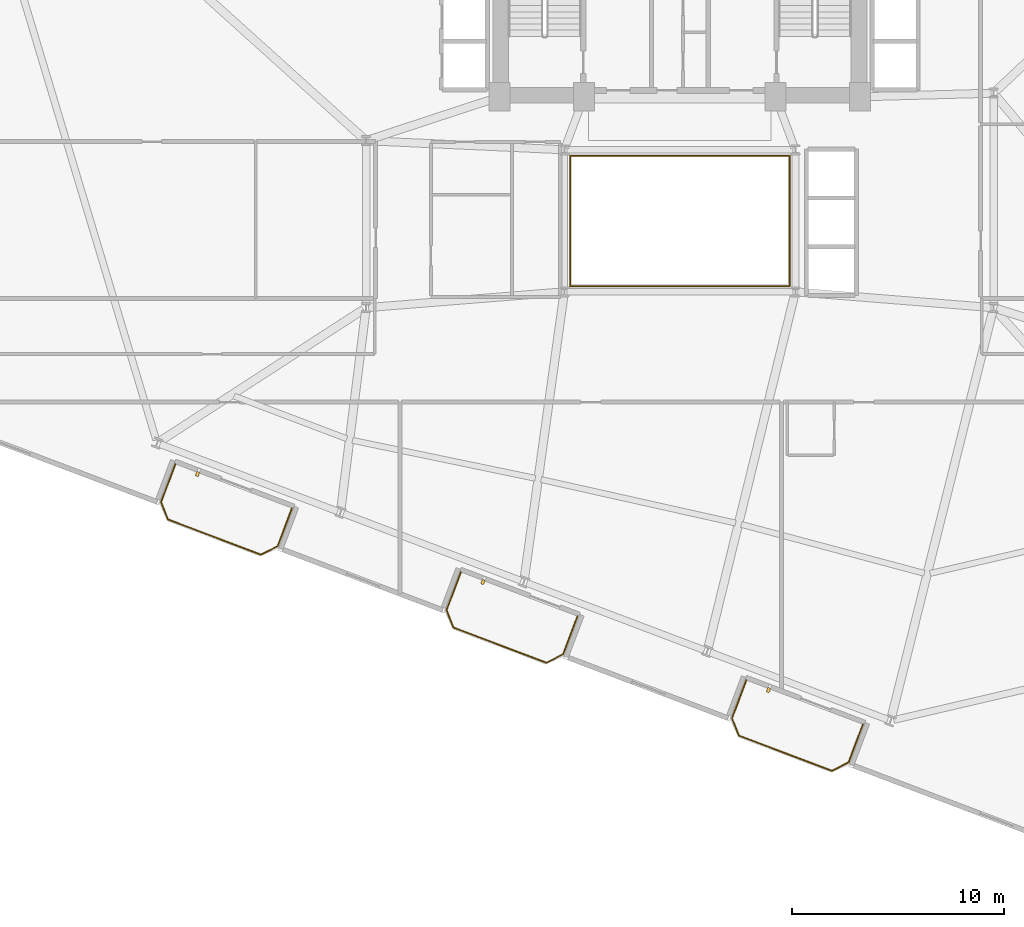
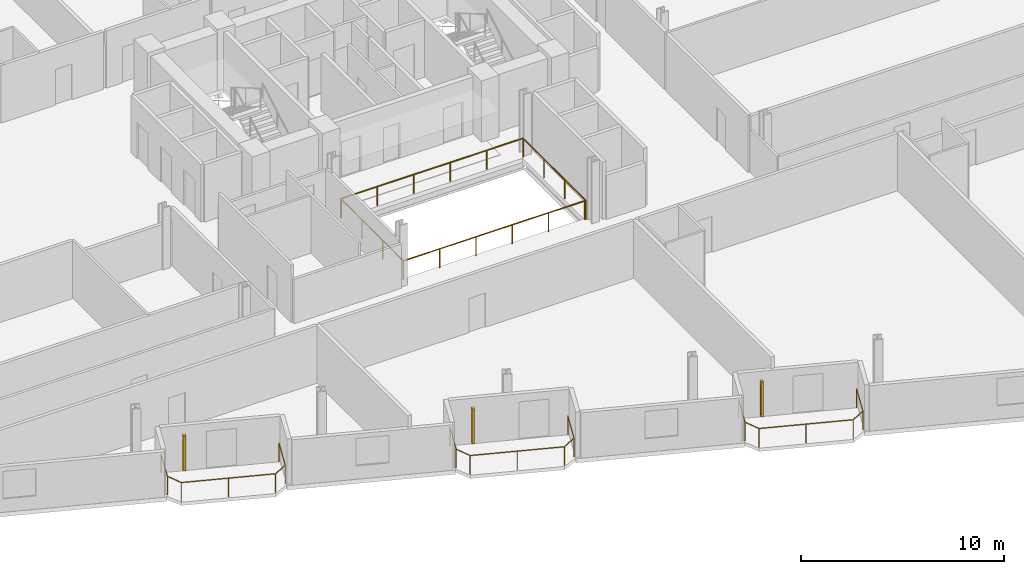
# One storey, part 22 of 24: 5 railings, 3 shading devices.
"""IFC4 building model written with IfcOpenShell, lengths in metres."""

from ifc_helpers import new_model, si_unit, direction, frame, origin, origin_2d, place, context, subcontext, project, spatial, rectangle, circle, extrude, source, transform, mapped, material, type_object, element, save


model = new_model("IFC4")

# Units and contexts
model_context = context("Model", 3, precision=1e-05, world=origin(), true_north=direction((0.0, 1.0)))
body_context = subcontext(model_context, "Body", "Model", "MODEL_VIEW")
ifc_project = project(units=[si_unit("LENGTHUNIT", "METRE"), si_unit("AREAUNIT", "SQUARE_METRE"), si_unit("VOLUMEUNIT", "CUBIC_METRE"), si_unit("PLANEANGLEUNIT", "RADIAN"), si_unit("MASSUNIT", "GRAM", prefix="KILO")], contexts=[model_context])

# Site, building, storey
site_placement = place(None, origin())
site = spatial("IfcSite", under=ifc_project, at=site_placement, CompositionType="ELEMENT")
building_placement = place(site_placement, origin())
building = spatial("IfcBuilding", under=site, at=building_placement, Name="Varnelok Gate Tower", CompositionType="ELEMENT")
storey_placement = place(building_placement, frame((0.0, 0.0, 87.300048828125)))
storey = spatial("IfcBuildingStorey", under=building, at=storey_placement, Name="L21", CompositionType="ELEMENT", Elevation=87.300048828125)

# Railings
ifc_material_1 = material(Name="Tempered Laminated Balustrade Glass", Category="glass")
railing_type_1 = type_object("IfcRailingType", Name="RL-ATR-GUARD1150", PredefinedType="GUARDRAIL", material=ifc_material_1)
railing_1_placement = place(storey_placement, frame((34.02001953125, 25.929931640625, 0.0)))
element("IfcRailing", 1, at=railing_1_placement, inside=storey, type_object=railing_type_1, Name="L21 Internal Atrium South-West Guardrail", PredefinedType="GUARDRAIL", context=body_context, shape_type="SweptSolid", body=[
    extrude(circle(Radius=0.02392578125, at=origin_2d()), frame((0.0, 0.0, 1.1259765625), z_axis=(0.0, -1.0, 0.0), x_axis=(1.0, 0.0, 0.0)), (0.0, 0.0, 1.0), 6.10986328125),
    extrude(circle(Radius=0.02392578125, at=origin_2d()), frame((0.0, -6.10986328125, 1.1259765625), z_axis=(1.0, 0.0, 0.0), x_axis=(0.0, 1.0, 0.0)), (0.0, 0.0, 1.0), 10.31005859375),
    extrude(circle(Radius=0.02099609375, at=origin_2d()), origin(), (0.0, 0.0, 1.0), 1.101806640625),
    extrude(circle(Radius=0.02099609375, at=origin_2d()), frame((0.0, -2.03662109375, 0.0)), (0.0, 0.0, 1.0), 1.101806640625),
    extrude(circle(Radius=0.02099609375, at=origin_2d()), frame((0.0, -4.0732421875, 0.0)), (0.0, 0.0, 1.0), 1.101806640625),
    extrude(circle(Radius=0.02099609375, at=origin_2d()), frame((0.0, -6.10986328125, 0.0)), (0.0, 0.0, 1.0), 1.101806640625),
    extrude(circle(Radius=0.02099609375, at=origin_2d()), frame((2.06201171875, -6.10986328125, 0.0)), (0.0, 0.0, 1.0), 1.101806640625),
    extrude(circle(Radius=0.02099609375, at=origin_2d()), frame((4.1240234375, -6.10986328125, 0.0)), (0.0, 0.0, 1.0), 1.101806640625),
    extrude(circle(Radius=0.02099609375, at=origin_2d()), frame((6.18603515625, -6.10986328125, 0.0)), (0.0, 0.0, 1.0), 1.101806640625),
    extrude(circle(Radius=0.02099609375, at=origin_2d()), frame((8.248046875, -6.10986328125, 0.0)), (0.0, 0.0, 1.0), 1.101806640625),
    extrude(circle(Radius=0.02099609375, at=origin_2d()), frame((10.31005859375, -6.10986328125, 0.0)), (0.0, 0.0, 1.0), 1.101806640625),
])
railing_2_placement = place(storey_placement, frame((44.3798828125, 19.820068359375, 0.0)))
element("IfcRailing", 2, at=railing_2_placement, inside=storey, type_object=railing_type_1, Name="L21 Internal Atrium North-East Guardrail", PredefinedType="GUARDRAIL", context=body_context, shape_type="SweptSolid", body=[
    extrude(circle(Radius=0.02392578125, at=origin_2d()), frame((0.0, 0.0, 1.1259765625), z_axis=(0.0, 1.0, 0.0), x_axis=(-1.0, 0.0, 0.0)), (0.0, 0.0, 1.0), 6.159912109375),
    extrude(circle(Radius=0.02392578125, at=origin_2d()), frame((0.0, 6.159912109375, 1.1259765625), z_axis=(-1.0, 0.0, 0.0), x_axis=(0.0, -1.0, 0.0)), (0.0, 0.0, 1.0), 10.35986328125),
    extrude(circle(Radius=0.02099609375, at=origin_2d()), origin(), (0.0, 0.0, 1.0), 1.101806640625),
    extrude(circle(Radius=0.02099609375, at=origin_2d()), frame((0.0, 2.05322265625, 0.0)), (0.0, 0.0, 1.0), 1.101806640625),
    extrude(circle(Radius=0.02099609375, at=origin_2d()), frame((0.0, 4.106689453125, 0.0)), (0.0, 0.0, 1.0), 1.101806640625),
    extrude(circle(Radius=0.02099609375, at=origin_2d()), frame((0.0, 6.159912109375, 0.0)), (0.0, 0.0, 1.0), 1.101806640625),
    extrude(circle(Radius=0.02099609375, at=origin_2d()), frame((-2.072021484375, 6.159912109375, 0.0)), (0.0, 0.0, 1.0), 1.101806640625),
    extrude(circle(Radius=0.02099609375, at=origin_2d()), frame((-4.14404296875, 6.159912109375, 0.0)), (0.0, 0.0, 1.0), 1.101806640625),
    extrude(circle(Radius=0.02099609375, at=origin_2d()), frame((-6.2158203125, 6.159912109375, 0.0)), (0.0, 0.0, 1.0), 1.101806640625),
    extrude(circle(Radius=0.02099609375, at=origin_2d()), frame((-8.287841796875, 6.159912109375, 0.0)), (0.0, 0.0, 1.0), 1.101806640625),
    extrude(circle(Radius=0.02099609375, at=origin_2d()), frame((-10.35986328125, 6.159912109375, 0.0)), (0.0, 0.0, 1.0), 1.101806640625),
])
ifc_material_2 = material(Name="Low-E Laminated Double Glazing IGU", Category="glass")
railing_type_2 = type_object("IfcRailingType", Name="RL-BALC-1150", PredefinedType="BALUSTRADE", material=ifc_material_2)
railing_3_placement = place(storey_placement, frame((15.40625, 11.42578125, 0.0)))
element("IfcRailing", 3, at=railing_3_placement, inside=storey, type_object=railing_type_2, Name="L21 South Terrace Balustrade 1", PredefinedType="BALUSTRADE", context=body_context, shape_type="SweptSolid", body=[
    extrude(circle(Radius=0.02392578125, at=origin_2d()), frame((0.0, 0.0, 1.1259765625), z_axis=(-0.354006333352, -0.935243025073, 0.0), x_axis=(0.935243025073, -0.354006333352, 0.0)), (0.0, 0.0, 1.0), 1.919921875),
    extrude(circle(Radius=0.02392578125, at=origin_2d()), frame((-0.6796875, -1.795654296875, 1.1259765625), z_axis=(0.366254584666, -0.930514685113, 0.0), x_axis=(0.930514685113, 0.366254584666, 0.0)), (0.0, 0.0, 1.0), 0.8779296875),
    extrude(circle(Radius=0.02392578125, at=origin_2d()), frame((-0.358154296875, -2.612548828125, 1.1259765625), z_axis=(0.935223045203, -0.354059113314, 0.0), x_axis=(0.354059113314, 0.935223045203, 0.0)), (0.0, 0.0, 1.0), 4.699951171875),
    extrude(circle(Radius=0.02392578125, at=origin_2d()), frame((4.037353515625, -4.276611328125, 1.1259765625), z_axis=(0.89078254773, 0.454429810487, 0.0), x_axis=(-0.454429810487, 0.89078254773, 0.0)), (0.0, 0.0, 1.0), 0.8779296875),
    extrude(circle(Radius=0.02392578125, at=origin_2d()), frame((4.8193359375, -3.877685546875, 1.1259765625), z_axis=(0.354117547856, 0.935200920819, 0.0), x_axis=(-0.935200920819, 0.354117547856, 0.0)), (0.0, 0.0, 1.0), 1.920166015625),
    extrude(circle(Radius=0.02099609375, at=origin_2d()), origin(), (0.0, 0.0, 1.0), 1.101806640625),
    extrude(circle(Radius=0.02099609375, at=origin_2d()), frame((-0.6796875, -1.795654296875, 0.0)), (0.0, 0.0, 1.0), 1.101806640625),
    extrude(circle(Radius=0.02099609375, at=origin_2d()), frame((-0.358154296875, -2.612548828125, 0.0)), (0.0, 0.0, 1.0), 1.101806640625),
    extrude(circle(Radius=0.02099609375, at=origin_2d()), frame((1.839599609375, -3.444580078125, 0.0)), (0.0, 0.0, 1.0), 1.101806640625),
    extrude(circle(Radius=0.02099609375, at=origin_2d()), frame((4.037353515625, -4.276611328125, 0.0)), (0.0, 0.0, 1.0), 1.101806640625),
    extrude(circle(Radius=0.02099609375, at=origin_2d()), frame((4.8193359375, -3.877685546875, 0.0)), (0.0, 0.0, 1.0), 1.101806640625),
    extrude(circle(Radius=0.02099609375, at=origin_2d()), frame((5.499267578125, -2.08203125, 0.0)), (0.0, 0.0, 1.0), 1.101806640625),
])
railing_4_placement = place(storey_placement, frame((28.87353515625, 6.3271484375, 0.0)))
element("IfcRailing", 4, at=railing_4_placement, inside=storey, type_object=railing_type_2, Name="L21 South Terrace Balustrade 2", PredefinedType="BALUSTRADE", context=body_context, shape_type="SweptSolid", body=[
    extrude(circle(Radius=0.02392578125, at=origin_2d()), frame((0.0, 0.0, 1.1259765625), z_axis=(-0.354117547856, -0.935200920819, 0.0), x_axis=(0.935200920819, -0.354117547856, 0.0)), (0.0, 0.0, 1.0), 1.920166015625),
    extrude(circle(Radius=0.02392578125, at=origin_2d()), frame((-0.679931640625, -1.795654296875, 1.1259765625), z_axis=(0.36659018357, -0.930382522036, 0.0), x_axis=(0.930382522036, 0.36659018357, 0.0)), (0.0, 0.0, 1.0), 0.877685546875),
    extrude(circle(Radius=0.02392578125, at=origin_2d()), frame((-0.358154296875, -2.6123046875, 1.1259765625), z_axis=(0.935223045203, -0.354059113314, 0.0), x_axis=(0.354059113314, 0.935223045203, 0.0)), (0.0, 0.0, 1.0), 4.699951171875),
    extrude(circle(Radius=0.02392578125, at=origin_2d()), frame((4.037353515625, -4.2763671875, 1.1259765625), z_axis=(0.89078254773, 0.454429810487, 0.0), x_axis=(-0.454429810487, 0.89078254773, 0.0)), (0.0, 0.0, 1.0), 0.8779296875),
    extrude(circle(Radius=0.02392578125, at=origin_2d()), frame((4.8193359375, -3.87744140625, 1.1259765625), z_axis=(0.354006333352, 0.935243025073, 0.0), x_axis=(-0.935243025073, 0.354006333352, 0.0)), (0.0, 0.0, 1.0), 1.919921875),
    extrude(circle(Radius=0.02099609375, at=origin_2d()), origin(), (0.0, 0.0, 1.0), 1.101806640625),
    extrude(circle(Radius=0.02099609375, at=origin_2d()), frame((-0.679931640625, -1.795654296875, 0.0)), (0.0, 0.0, 1.0), 1.101806640625),
    extrude(circle(Radius=0.02099609375, at=origin_2d()), frame((-0.358154296875, -2.6123046875, 0.0)), (0.0, 0.0, 1.0), 1.101806640625),
    extrude(circle(Radius=0.02099609375, at=origin_2d()), frame((1.839599609375, -3.4443359375, 0.0)), (0.0, 0.0, 1.0), 1.101806640625),
    extrude(circle(Radius=0.02099609375, at=origin_2d()), frame((4.037353515625, -4.2763671875, 0.0)), (0.0, 0.0, 1.0), 1.101806640625),
    extrude(circle(Radius=0.02099609375, at=origin_2d()), frame((4.8193359375, -3.87744140625, 0.0)), (0.0, 0.0, 1.0), 1.101806640625),
    extrude(circle(Radius=0.02099609375, at=origin_2d()), frame((5.4990234375, -2.081787109375, 0.0)), (0.0, 0.0, 1.0), 1.101806640625),
])
railing_5_placement = place(storey_placement, frame((42.3408203125, 1.228759765625, 0.0)))
element("IfcRailing", 5, at=railing_5_placement, inside=storey, type_object=railing_type_2, Name="L21 South Terrace Balustrade 3", PredefinedType="BALUSTRADE", context=body_context, shape_type="SweptSolid", body=[
    extrude(circle(Radius=0.02392578125, at=origin_2d()), frame((0.0, 0.0, 1.1259765625), z_axis=(-0.354117547856, -0.935200920819, 0.0), x_axis=(0.935200920819, -0.354117547856, 0.0)), (0.0, 0.0, 1.0), 1.920166015625),
    extrude(circle(Radius=0.02392578125, at=origin_2d()), frame((-0.679931640625, -1.795654296875, 1.1259765625), z_axis=(0.366254584666, -0.930514685113, 0.0), x_axis=(0.930514685113, 0.366254584666, 0.0)), (0.0, 0.0, 1.0), 0.8779296875),
    extrude(circle(Radius=0.02392578125, at=origin_2d()), frame((-0.3583984375, -2.612548828125, 1.1259765625), z_axis=(0.935229556479, -0.354041913744, 0.0), x_axis=(0.354041913744, 0.935229556479, 0.0)), (0.0, 0.0, 1.0), 4.7001953125),
    extrude(circle(Radius=0.02392578125, at=origin_2d()), frame((4.037353515625, -4.276611328125, 1.1259765625), z_axis=(0.890612455555, 0.454763074589, 0.0), x_axis=(-0.454763074589, 0.890612455555, 0.0)), (0.0, 0.0, 1.0), 0.877685546875),
    extrude(circle(Radius=0.02392578125, at=origin_2d()), frame((4.819091796875, -3.87744140625, 1.1259765625), z_axis=(0.354159661475, 0.935184973245, 0.0), x_axis=(-0.935184973245, 0.354159661475, 0.0)), (0.0, 0.0, 1.0), 1.919921875),
    extrude(circle(Radius=0.02099609375, at=origin_2d()), origin(), (0.0, 0.0, 1.0), 1.101806640625),
    extrude(circle(Radius=0.02099609375, at=origin_2d()), frame((-0.679931640625, -1.795654296875, 0.0)), (0.0, 0.0, 1.0), 1.101806640625),
    extrude(circle(Radius=0.02099609375, at=origin_2d()), frame((-0.3583984375, -2.612548828125, 0.0)), (0.0, 0.0, 1.0), 1.101806640625),
    extrude(circle(Radius=0.02099609375, at=origin_2d()), frame((1.83935546875, -3.444580078125, 0.0)), (0.0, 0.0, 1.0), 1.101806640625),
    extrude(circle(Radius=0.02099609375, at=origin_2d()), frame((4.037353515625, -4.276611328125, 0.0)), (0.0, 0.0, 1.0), 1.101806640625),
    extrude(circle(Radius=0.02099609375, at=origin_2d()), frame((4.819091796875, -3.87744140625, 0.0)), (0.0, 0.0, 1.0), 1.101806640625),
    extrude(circle(Radius=0.02099609375, at=origin_2d()), frame((5.4990234375, -2.08203125, 0.0)), (0.0, 0.0, 1.0), 1.101806640625),
])

# Shading devices
ifc_material_3 = material(Name="Glazed Architectural Terracotta Ceramic", Category="masonry")
shading_device_type = type_object("IfcShadingDeviceType", Name="SHD-TERRA-FIN", PredefinedType="USERDEFINED", material=ifc_material_3)
shared_shape = source(origin(), body_context, "Body", "SweptSolid", [
    extrude(rectangle(XDim=0.139892578125, YDim=0.219970703125, at=origin_2d()), origin(), (0.0, 0.0, 1.0), 2.10009765625),
])
for number, where, z_axis, x_axis, name in (
    (6, (16.44775390625, 10.95654296875, 0.099853515625), (0.0, 0.0, 1.0), (0.935221751401, -0.354062530786, 0.0), "L21 Terracotta Ceramic Baguette Sunscreen 1.1"),
    (7, (29.914794921875, 5.858154296875, 0.099853515625), (0.0, 0.0, 1.0), (0.935221751401, -0.354062530786, 0.0), "L21 Terracotta Ceramic Baguette Sunscreen 2.1"),
    (8, (43.382080078125, 0.759521484375, 0.099853515625), (0.0, 0.0, 1.0), (0.935221751401, -0.354062530786, 0.0), "L21 Terracotta Ceramic Baguette Sunscreen 3.1"),
):
    element("IfcShadingDevice", number, at=place(storey_placement, frame(where, z_axis=z_axis, x_axis=x_axis)), inside=storey, type_object=shading_device_type, Name=name, ObjectType="BAGUETTE", PredefinedType="USERDEFINED", context=body_context, shape_type="MappedRepresentation", body=[
        mapped(shared_shape, transform((0.0, 0.0, 0.0), scale=1.0)),
    ])

save(model, "model.ifc")
